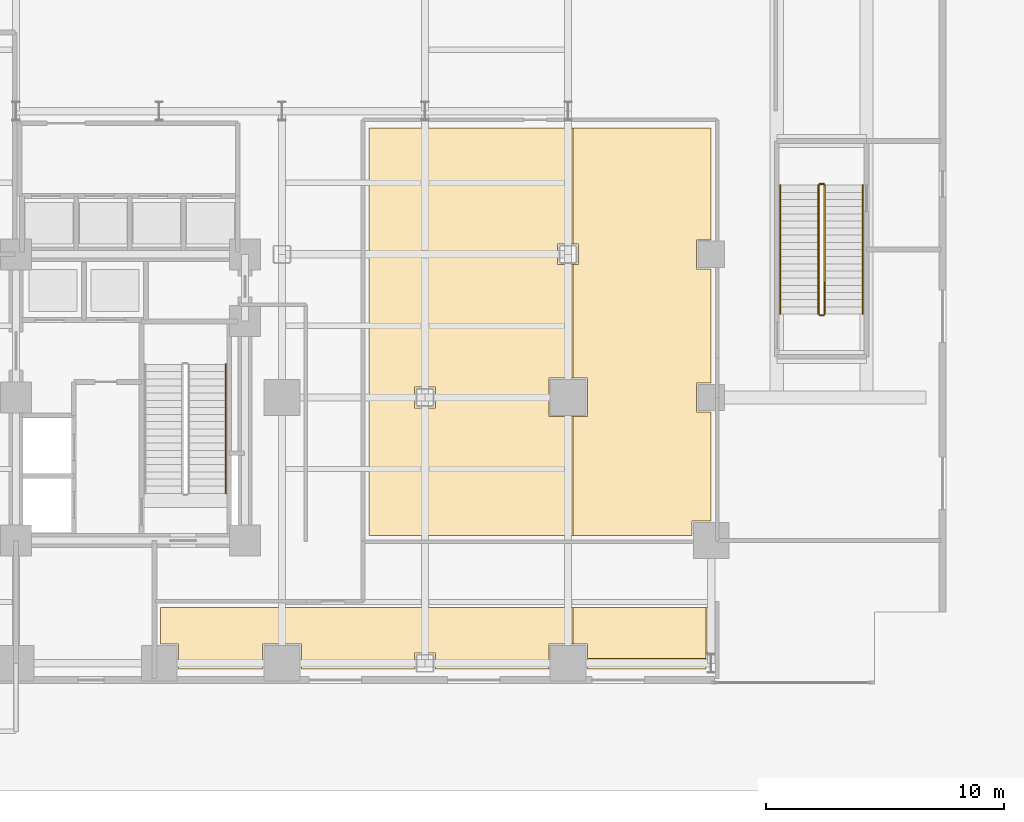
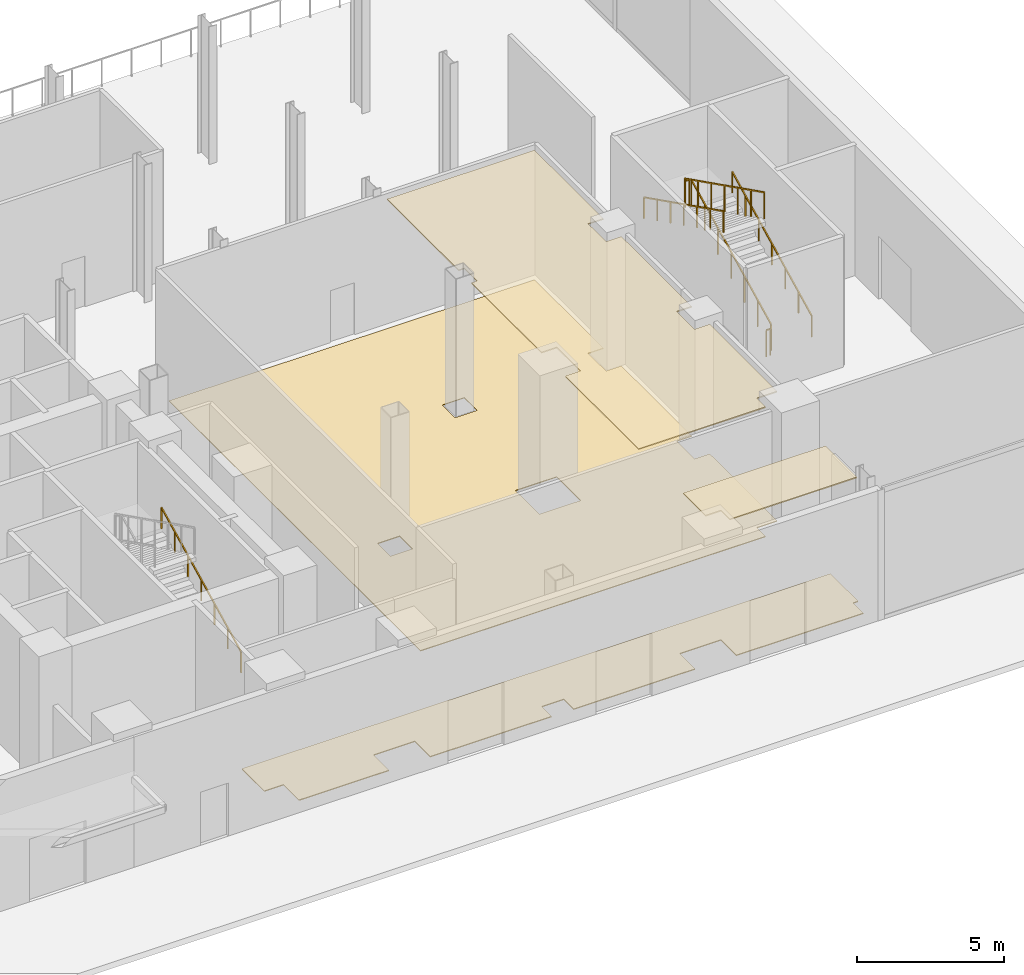
# One storey, part 24 of 27: 7 railings, 4 coverings.
"""IFC4 building model written with IfcOpenShell, lengths in metres."""

import ifcopenshell
import ifcopenshell.guid

model = None  # the IFC model being written
_history = None  # IfcOwnerHistory: only IFC2X3 demands one
_inside = {}  # id of a spatial element -> (the spatial element, [elements in it])
_under = {}  # id of a project, library or spatial element -> (it, [spatial elements below it])
_declared = {}  # id of a project -> (the project, [libraries it declares])
_typed = {}  # id of a type object -> (the type object, [elements of that type])
_made_of = {}  # id of a material, layer set ... -> (it, [elements and type objects made of it])


def new_model(schema):
    """Start an empty IFC model of exactly this schema.

    Asked for "IFC4X3", IfcOpenShell would pick the latest addendum, in which some entities
    have other attributes; the version numbers below select the first issue.
    IFC2X3 requires an IfcOwnerHistory on every rooted entity: one is made here for all.
    """
    global model, _history
    if schema == "IFC4X3":
        model = ifcopenshell.file(schema_version=(4, 3, 0, 0))
    else:
        model = ifcopenshell.file(schema=schema)
    _inside.clear()
    _under.clear()
    _declared.clear()
    _typed.clear()
    _made_of.clear()
    _history = None
    if model.schema == "IFC2X3":
        org = make("IfcOrganization", Name="unknown")
        user = make(
            "IfcPersonAndOrganization",
            ThePerson=make("IfcPerson", FamilyName="unknown"),
            TheOrganization=org,
        )
        app = make(
            "IfcApplication",
            ApplicationDeveloper=org,
            Version="unknown",
            ApplicationFullName="unknown",
            ApplicationIdentifier="unknown",
        )
        _history = make(
            "IfcOwnerHistory",
            OwningUser=user,
            OwningApplication=app,
            ChangeAction="ADDED",
            CreationDate=0,
        )
    return model


def make(cls, **values):
    """One entity of the class cls with the attributes given. An attribute that is None is left unset."""
    return model.create_entity(
        cls, **{name: value for name, value in values.items() if value is not None}
    )


def rooted(cls, **values):
    """An entity with a GlobalId (a new one), such as an element, a storey or a relation."""
    return make(cls, GlobalId=ifcopenshell.guid.new(), OwnerHistory=_history, **values)


def si_unit(unit_type, name, prefix=None):
    """IfcSIUnit, for example si_unit("LENGTHUNIT", "METRE", prefix="MILLI")."""
    return make("IfcSIUnit", UnitType=unit_type, Prefix=prefix, Name=name)


def assignment(units):
    """IfcUnitAssignment: the units of a project."""
    return None if units is None else make("IfcUnitAssignment", Units=units)


def point(xyz):
    """IfcCartesianPoint."""
    return None if xyz is None else make("IfcCartesianPoint", Coordinates=xyz)


def direction(xyz):
    """IfcDirection."""
    return None if xyz is None else make("IfcDirection", DirectionRatios=xyz)


def frame(location, z_axis=None, x_axis=None):
    """IfcAxis2Placement3D, a coordinate frame: its origin and axes. An axis left out is left unset."""
    return make(
        "IfcAxis2Placement3D",
        Location=point(location),
        Axis=direction(z_axis),
        RefDirection=direction(x_axis),
    )


def frame_2d(location, x_axis=None):
    """IfcAxis2Placement2D, a coordinate frame in the plane: its origin and x axis."""
    return make(
        "IfcAxis2Placement2D", Location=point(location), RefDirection=direction(x_axis)
    )


def origin():
    """The frame at (0, 0, 0) with its axes left unset."""
    return frame((0.0, 0.0, 0.0))


def origin_2d():
    """The frame at (0, 0) in the plane with its x axis left unset."""
    return frame_2d((0.0, 0.0))


def place(relative_to, where):
    """IfcLocalPlacement: puts the frame where relative to a parent placement (None: the world)."""
    return make(
        "IfcLocalPlacement", PlacementRelTo=relative_to, RelativePlacement=where
    )


def context(
    kind, dimensions, precision=None, world=None, true_north=None, identifier=None
):
    """IfcGeometricRepresentationContext, for example the 3D "Model" context."""
    return make(
        "IfcGeometricRepresentationContext",
        ContextIdentifier=identifier,
        ContextType=kind,
        CoordinateSpaceDimension=dimensions,
        Precision=precision,
        WorldCoordinateSystem=world,
        TrueNorth=true_north,
    )


def subcontext(parent, identifier, kind, view, scale=None):
    """IfcGeometricRepresentationSubContext, for example "Body" below "Model"."""
    return make(
        "IfcGeometricRepresentationSubContext",
        ContextIdentifier=identifier,
        ContextType=kind,
        ParentContext=parent,
        TargetScale=scale,
        TargetView=view,
    )


def project(units=None, contexts=None):
    """IfcProject with its units and contexts."""
    return rooted(
        "IfcProject",
        Name="project",
        RepresentationContexts=contexts,
        UnitsInContext=assignment(units),
    )


def spatial(cls, under=None, at=None, **own):
    """A site, building, storey or space (cls), placed at a placement, below another one or the project."""
    s = rooted(cls, ObjectPlacement=at, **own)
    if under is not None:
        _under.setdefault(under.id(), (under, []))[1].append(s)
    return s


def polyline(points):
    """IfcPolyline through the points."""
    return make("IfcPolyline", Points=[point(p) for p in points])


def profile(cls, at=None, kind="AREA", **sizes):
    """A parametric profile (cls). Its sizes go by their IFC names, for example OverallWidth=200.0."""
    return make(cls, ProfileType=kind, Position=at, **sizes)


def rectangle(**sizes):
    """IfcRectangleProfileDef."""
    return profile("IfcRectangleProfileDef", **sizes)


def outline(outer, holes=None, kind="AREA"):
    """IfcArbitraryClosedProfileDef: a profile drawn as a closed curve; with holes, ...WithVoids."""
    if holes is None:
        return make("IfcArbitraryClosedProfileDef", ProfileType=kind, OuterCurve=outer)
    return make(
        "IfcArbitraryProfileDefWithVoids",
        ProfileType=kind,
        OuterCurve=outer,
        InnerCurves=holes,
    )


def extrude(swept, where, along, depth):
    """IfcExtrudedAreaSolid: the profile swept, set in the frame where, extruded along a direction by depth."""
    return make(
        "IfcExtrudedAreaSolid",
        SweptArea=swept,
        Position=where,
        ExtrudedDirection=direction(along),
        Depth=depth,
    )


def shape(context_of_items, identifier, shape_type, items):
    """IfcShapeRepresentation: the items that make up one representation, for example the "Body"."""
    return make(
        "IfcShapeRepresentation",
        ContextOfItems=context_of_items,
        RepresentationIdentifier=identifier,
        RepresentationType=shape_type,
        Items=items,
    )


def material(Name=None, Category=None):
    """IfcMaterial."""
    return make("IfcMaterial", Name=Name, Category=Category)


def layer(
    of_material, thickness, ventilated=None, Name=None, Category=None, Priority=None
):
    """IfcMaterialLayer: one layer of a wall or slab, of a material (None: an air gap)."""
    return make(
        "IfcMaterialLayer",
        Material=of_material,
        LayerThickness=thickness,
        IsVentilated=ventilated,
        Name=Name,
        Category=Category,
        Priority=Priority,
    )


def layer_set(layers, Name=None):
    """IfcMaterialLayerSet."""
    return make("IfcMaterialLayerSet", MaterialLayers=layers, LayerSetName=Name)


def made_of(thing, what):
    """Note that an element or type object is made of a material, layer set ...; save() writes the relation."""
    if what is not None:
        _made_of.setdefault(what.id(), (what, []))[1].append(thing)
    return thing


def type_object(cls, material=None, **own):
    """A type object (cls), such as IfcWallType, which elements share."""
    return made_of(rooted(cls, **own), material)


def element(
    cls,
    number,
    at=None,
    inside=None,
    cuts=None,
    type_object=None,
    material=None,
    context=None,
    identifier="Body",
    shape_type=None,
    held_by="IfcProductDefinitionShape",
    body=None,
    shapes=None,
    **own,
):
    """One element of the class cls, such as IfcWall. Its Tag is "e" and its number.

    at: its placement. inside: the storey or other place that contains it. cuts: it is an
    opening in that element (IfcRelVoidsElement). A single representation is given by context,
    identifier, shape_type and body (its items); several are given by shapes. held_by: the class
    of the entity that holds the representations. save() writes the other relations.
    """
    e = rooted(cls, Tag="e%d" % number, ObjectPlacement=at, **own)
    if body is not None:
        shapes = [shape(context, identifier, shape_type, body)]
    if shapes is not None:
        e.Representation = make(held_by, Representations=shapes)
    if inside is not None:
        _inside.setdefault(inside.id(), (inside, []))[1].append(e)
    if cuts is not None:
        rooted(
            "IfcRelVoidsElement", RelatingBuildingElement=cuts, RelatedOpeningElement=e
        )
    if type_object is not None:
        _typed.setdefault(type_object.id(), (type_object, []))[1].append(e)
    return made_of(e, material)


def aggregate(whole, parts):
    """IfcRelAggregates: a whole, such as a stair, and the parts it consists of."""
    return rooted("IfcRelAggregates", RelatingObject=whole, RelatedObjects=parts)


def save(model, path):
    """Write the relations noted so far, then the file.

    IfcRelAggregates (storeys below a building ...), IfcRelContainedInSpatialStructure (elements
    in a storey), IfcRelDefinesByType, IfcRelAssociatesMaterial and IfcRelDeclares: one each for
    every whole, place, type object, material and project.
    """
    for whole, parts in _under.values():
        aggregate(whole, parts)
    for where, things in _inside.values():
        rooted(
            "IfcRelContainedInSpatialStructure",
            RelatedElements=things,
            RelatingStructure=where,
        )
    for kind, things in _typed.values():
        rooted("IfcRelDefinesByType", RelatedObjects=things, RelatingType=kind)
    for what, things in _made_of.values():
        rooted("IfcRelAssociatesMaterial", RelatedObjects=things, RelatingMaterial=what)
    for by, libraries in _declared.values():
        rooted("IfcRelDeclares", RelatingContext=by, RelatedDefinitions=libraries)
    model.write(path)


model = new_model("IFC4")

# Units and contexts
model_context = context("Model", 3, precision=1e-05, world=origin(), true_north=direction((0.0, 1.0)))
body_context = subcontext(model_context, "Body", "Model", "MODEL_VIEW")
ifc_project = project(units=[si_unit("LENGTHUNIT", "METRE"), si_unit("AREAUNIT", "SQUARE_METRE"), si_unit("VOLUMEUNIT", "CUBIC_METRE"), si_unit("PLANEANGLEUNIT", "RADIAN"), si_unit("MASSUNIT", "GRAM", prefix="KILO"), si_unit("THERMODYNAMICTEMPERATUREUNIT", "KELVIN"), si_unit("POWERUNIT", "WATT")], contexts=[model_context])

# Site, building, storey
site_placement = place(None, origin())
site = spatial("IfcSite", under=ifc_project, at=site_placement, CompositionType="ELEMENT")
building_placement = place(site_placement, origin())
building = spatial("IfcBuilding", under=site, at=building_placement, Name="Svarakhadi Broadcast Tower", CompositionType="ELEMENT")
storey_placement = place(building_placement, origin())
storey = spatial("IfcBuildingStorey", under=building, at=storey_placement, Name="L00", CompositionType="ELEMENT", Elevation=0.0)

# Coverings
ifc_material_1 = material(Name="Anodised Bronze Aluminium Linear Acoustic Baffle", Category="aluminium")
ifc_layer_1 = layer(ifc_material_1, 0.044921875)
ifc_layer_set_1 = layer_set([ifc_layer_1], Name="Anodised Bronze Aluminium Linear Acoustic Baffle")
covering_type_1 = type_object("IfcCoveringType", Name="Cov_Ceiling_Baffle", PredefinedType="CEILING", material=ifc_layer_set_1)
covering_1_placement = place(storey_placement, frame((0.0, 0.0, 5.35498046875)))
element("IfcCovering", 1, at=covering_1_placement, inside=storey, type_object=covering_type_1, Name="L00 Waterfront Media Cafe and Dining Hall Acoustic Ceiling", PredefinedType="CEILING", context=body_context, shape_type="SweptSolid", body=[
    extrude(outline(polyline([(52.93994140625, 3.18994140625), (52.93994140625, 1.31005859375), (52.93994140625, 1.06005859375), (47.9599609375, 1.06005859375), (47.9599609375, 1.659912109375), (47.360107421875, 1.659912109375), (47.360107421875, 3.18994140625), (52.93994140625, 3.18994140625)])), origin(), (0.0, 0.0, 1.0), 0.044921875),
])
covering_2_placement = place(storey_placement, frame((0.0, 0.0, 5.35498046875)))
element("IfcCovering", 2, at=covering_2_placement, inside=storey, type_object=covering_type_1, Name="L00 Public Broadcast Heritage Exhibition Gallery Acoustic Ceiling", PredefinedType="CEILING", context=body_context, shape_type="SweptSolid", body=[
    extrude(outline(polyline([(53.139892578125, 23.2900390625), (53.139892578125, 18.610107421875), (52.5400390625, 18.610107421875), (52.5400390625, 17.389892578125), (53.139892578125, 17.389892578125), (53.139892578125, 12.610107421875), (52.5400390625, 12.610107421875), (52.5400390625, 11.389892578125), (53.139892578125, 11.389892578125), (53.139892578125, 6.81005859375), (52.340087890625, 6.81005859375), (52.340087890625, 6.2099609375), (47.360107421875, 6.2099609375), (47.360107421875, 11.18994140625), (47.9599609375, 11.18994140625), (47.9599609375, 12.81005859375), (47.360107421875, 12.81005859375), (47.360107421875, 17.56494140625), (47.5849609375, 17.56494140625), (47.5849609375, 18.43505859375), (47.360107421875, 18.43505859375), (47.360107421875, 23.2900390625), (53.139892578125, 23.2900390625)])), origin(), (0.0, 0.0, 1.0), 0.044921875),
])
ifc_material_2 = material(Name="Honed Konkan Basalt Stone Tile Flooring", Category="masonry")
ifc_layer_2 = layer(ifc_material_2, 0.034912109375)
ifc_layer_set_2 = layer_set([ifc_layer_2], Name="Honed Konkan Basalt Stone Tile Flooring")
covering_type_2 = type_object("IfcCoveringType", Name="Cov_Floor_Basalt", PredefinedType="FLOORING", material=ifc_layer_set_2)
covering_3_placement = place(storey_placement, origin())
element("IfcCovering", 3, at=covering_3_placement, inside=storey, type_object=covering_type_2, Name="L00 Waterfront Media Cafe and Dining Hall Floor Finish", PredefinedType="FLOORING", context=body_context, shape_type="SweptSolid", body=[
    extrude(outline(polyline([(53.139892578125, 3.18994140625), (53.139892578125, 1.31005859375), (52.93994140625, 1.31005859375), (52.93994140625, 0.610107421875), (47.9599609375, 0.610107421875), (47.9599609375, 1.659912109375), (46.340087890625, 1.659912109375), (46.340087890625, 0.610107421875), (41.5849609375, 0.610107421875), (41.5849609375, 1.284912109375), (40.715087890625, 1.284912109375), (40.715087890625, 0.610107421875), (35.9599609375, 0.610107421875), (35.9599609375, 1.659912109375), (34.340087890625, 1.659912109375), (34.340087890625, 0.610107421875), (30.81005859375, 0.610107421875), (30.81005859375, 1.659912109375), (30.06005859375, 1.659912109375), (30.06005859375, 3.18994140625), (53.139892578125, 3.18994140625)])), origin(), (0.0, 0.0, 1.0), 0.034912109375),
])
ifc_material_3 = material(Name="Polished White Marble-Chip Terrazzo Flooring", Category="masonry")
ifc_layer_3 = layer(ifc_material_3, 0.030029296875)
ifc_layer_set_3 = layer_set([ifc_layer_3], Name="Polished White Marble-Chip Terrazzo Flooring")
covering_type_3 = type_object("IfcCoveringType", Name="Cov_Floor_Terrazzo", PredefinedType="FLOORING", material=ifc_layer_set_3)
covering_4_placement = place(storey_placement, origin())
element("IfcCovering", 4, at=covering_4_placement, inside=storey, type_object=covering_type_3, Name="L00 Public Broadcast Heritage Exhibition Gallery Floor Finish", PredefinedType="FLOORING", context=body_context, shape_type="SweptSolid", body=[
    extrude(outline(polyline([(53.139892578125, 23.2900390625), (53.139892578125, 18.610107421875), (52.5400390625, 18.610107421875), (52.5400390625, 17.389892578125), (53.139892578125, 17.389892578125), (53.139892578125, 12.610107421875), (52.5400390625, 12.610107421875), (52.5400390625, 11.389892578125), (53.139892578125, 11.389892578125), (53.139892578125, 6.81005859375), (52.340087890625, 6.81005859375), (52.340087890625, 6.2099609375), (38.81005859375, 6.2099609375), (38.81005859375, 23.2900390625), (53.139892578125, 23.2900390625)]), holes=[polyline([(40.715087890625, 11.56494140625), (41.5849609375, 11.56494140625), (41.5849609375, 12.43505859375), (40.715087890625, 12.43505859375), (40.715087890625, 11.56494140625)]), polyline([(46.340087890625, 11.18994140625), (47.9599609375, 11.18994140625), (47.9599609375, 12.81005859375), (46.340087890625, 12.81005859375), (46.340087890625, 11.18994140625)]), polyline([(46.715087890625, 17.56494140625), (47.5849609375, 17.56494140625), (47.5849609375, 18.43505859375), (46.715087890625, 18.43505859375), (46.715087890625, 17.56494140625)])]), origin(), (0.0, 0.0, 1.0), 0.030029296875),
])

# Railings
ifc_material_4 = material(Name="Anodised Bronze Aluminium AA 6063-T6", Category="aluminium")
railing_type_1 = type_object("IfcRailingType", Name="Guard_Stair_GR01", PredefinedType="GUARDRAIL", material=ifc_material_4)
railing_1_placement = place(storey_placement, frame((57.909912109375, 15.5, 0.14990234375)))
element("IfcRailing", 5, at=railing_1_placement, inside=storey, type_object=railing_type_1, Name="L00 ST-04 stair guard 1", PredefinedType="GUARDRAIL", context=body_context, shape_type="SweptSolid", body=[
    extrude(rectangle(XDim=0.048095703125, YDim=0.048095703125, at=origin_2d()), frame((0.0, 0.0, 1.09619140625), z_axis=(0.0, 0.894411015155, 0.447245945728), x_axis=(-1.0, 0.0, 0.0)), (0.0, 0.0, 1.0), 6.037353515625),
    extrude(rectangle(XDim=0.0419921875, YDim=0.0419921875, at=origin_2d()), origin(), (0.0, 0.0, 1.0), 1.072021484375),
    extrude(rectangle(XDim=0.0419921875, YDim=0.0419921875, at=origin_2d()), frame((0.0, 0.89990234375, 0.449951171875)), (0.0, 0.0, 1.0), 1.072021484375),
    extrude(rectangle(XDim=0.0419921875, YDim=0.0419921875, at=origin_2d()), frame((0.0, 1.800048828125, 0.900146484375)), (0.0, 0.0, 1.0), 1.072021484375),
    extrude(rectangle(XDim=0.0419921875, YDim=0.0419921875, at=origin_2d()), frame((0.0, 2.699951171875, 1.35009765625)), (0.0, 0.0, 1.0), 1.072021484375),
    extrude(rectangle(XDim=0.0419921875, YDim=0.0419921875, at=origin_2d()), frame((0.0, 3.599853515625, 1.800048828125)), (0.0, 0.0, 1.0), 1.072021484375),
    extrude(rectangle(XDim=0.0419921875, YDim=0.0419921875, at=origin_2d()), frame((0.0, 4.5, 2.250244140625)), (0.0, 0.0, 1.0), 1.072021484375),
    extrude(rectangle(XDim=0.0419921875, YDim=0.0419921875, at=origin_2d()), frame((0.0, 5.39990234375, 2.7001953125)), (0.0, 0.0, 1.0), 1.072021484375),
])
railing_2_placement = place(storey_placement, frame((57.860107421875, 20.949951171875, 2.85009765625)))
element("IfcRailing", 6, at=railing_2_placement, inside=storey, type_object=railing_type_1, Name="L00 ST-04 stair guard 2", PredefinedType="GUARDRAIL", context=body_context, shape_type="SweptSolid", body=[
    extrude(rectangle(XDim=0.048095703125, YDim=0.048095703125, at=origin_2d()), frame((0.0, 0.0, 1.09619140625), z_axis=(-1.0, 0.0, 0.0), x_axis=(0.0, -1.0, 0.0)), (0.0, 0.0, 1.0), 0.16015625),
    extrude(rectangle(XDim=0.0419921875, YDim=0.0419921875, at=origin_2d()), origin(), (0.0, 0.0, 1.0), 1.072021484375),
    extrude(rectangle(XDim=0.0419921875, YDim=0.0419921875, at=origin_2d()), frame((-0.16015625, 0.0, 0.0)), (0.0, 0.0, 1.0), 1.072021484375),
])
railing_3_placement = place(storey_placement, frame((57.64990234375, 20.89990234375, 3.0)))
element("IfcRailing", 7, at=railing_3_placement, inside=storey, type_object=railing_type_1, Name="L00 ST-04 stair guard 3", PredefinedType="GUARDRAIL", context=body_context, shape_type="SweptSolid", body=[
    extrude(rectangle(XDim=0.048095703125, YDim=0.048095703125, at=origin_2d()), frame((0.0, 0.0, 1.09619140625), z_axis=(0.0, -0.894427191, 0.4472135955), x_axis=(1.0, 0.0, 0.0)), (0.0, 0.0, 1.0), 6.037353515625),
    extrude(rectangle(XDim=0.0419921875, YDim=0.0419921875, at=origin_2d()), origin(), (0.0, 0.0, 1.0), 1.072021484375),
    extrude(rectangle(XDim=0.0419921875, YDim=0.0419921875, at=origin_2d()), frame((0.0, -0.89990234375, 0.449951171875)), (0.0, 0.0, 1.0), 1.072021484375),
    extrude(rectangle(XDim=0.0419921875, YDim=0.0419921875, at=origin_2d()), frame((0.0, -1.800048828125, 0.89990234375)), (0.0, 0.0, 1.0), 1.072021484375),
    extrude(rectangle(XDim=0.0419921875, YDim=0.0419921875, at=origin_2d()), frame((0.0, -2.699951171875, 1.35009765625)), (0.0, 0.0, 1.0), 1.072021484375),
    extrude(rectangle(XDim=0.0419921875, YDim=0.0419921875, at=origin_2d()), frame((0.0, -3.599853515625, 1.800048828125)), (0.0, 0.0, 1.0), 1.072021484375),
    extrude(rectangle(XDim=0.0419921875, YDim=0.0419921875, at=origin_2d()), frame((0.0, -4.5, 2.25)), (0.0, 0.0, 1.0), 1.072021484375),
    extrude(rectangle(XDim=0.0419921875, YDim=0.0419921875, at=origin_2d()), frame((0.0, -5.39990234375, 2.699951171875)), (0.0, 0.0, 1.0), 1.072021484375),
])
railing_4_placement = place(storey_placement, frame((57.860107421875, 15.449951171875, 0.0)))
element("IfcRailing", 8, at=railing_4_placement, inside=storey, type_object=railing_type_1, Name="L00 ST-04 stair guard 4", PredefinedType="GUARDRAIL", context=body_context, shape_type="SweptSolid", body=[
    extrude(rectangle(XDim=0.048095703125, YDim=0.048095703125, at=origin_2d()), frame((0.0, 0.0, 1.09619140625), z_axis=(-1.0, 0.0, 0.0), x_axis=(0.0, -1.0, 0.0)), (0.0, 0.0, 1.0), 0.16015625),
    extrude(rectangle(XDim=0.0419921875, YDim=0.0419921875, at=origin_2d()), origin(), (0.0, 0.0, 1.0), 1.072021484375),
    extrude(rectangle(XDim=0.0419921875, YDim=0.0419921875, at=origin_2d()), frame((-0.16015625, 0.0, 0.0)), (0.0, 0.0, 1.0), 1.072021484375),
])
railing_type_2 = type_object("IfcRailingType", Name="Handrail_Stair_HR01", PredefinedType="HANDRAIL", material=ifc_material_4)
for number, where, name in (
    (9, (32.7900390625, 7.97998046875, 0.14990234375), "L00 ST-02 stair handrail 1"),
    (10, (59.510009765625, 15.5, 0.14990234375), "L00 ST-04 stair handrail 1"),
):
    element("IfcRailing", number, at=place(storey_placement, frame(where)), inside=storey, type_object=railing_type_2, Name=name, PredefinedType="HANDRAIL", context=body_context, shape_type="SweptSolid", body=[
        extrude(rectangle(XDim=0.048095703125, YDim=0.048095703125, at=origin_2d()), frame((0.0, 0.0, 0.8759765625), z_axis=(0.0, 0.894411015155, 0.447245945728), x_axis=(-1.0, 0.0, 0.0)), (0.0, 0.0, 1.0), 6.037353515625),
        extrude(rectangle(XDim=0.0419921875, YDim=0.0419921875, at=origin_2d()), origin(), (0.0, 0.0, 1.0), 0.851806640625),
        extrude(rectangle(XDim=0.0419921875, YDim=0.0419921875, at=origin_2d()), frame((0.0, 0.89990234375, 0.449951171875)), (0.0, 0.0, 1.0), 0.851806640625),
        extrude(rectangle(XDim=0.0419921875, YDim=0.0419921875, at=origin_2d()), frame((0.0, 1.800048828125, 0.900146484375)), (0.0, 0.0, 1.0), 0.851806640625),
        extrude(rectangle(XDim=0.0419921875, YDim=0.0419921875, at=origin_2d()), frame((0.0, 2.699951171875, 1.35009765625)), (0.0, 0.0, 1.0), 0.851806640625),
        extrude(rectangle(XDim=0.0419921875, YDim=0.0419921875, at=origin_2d()), frame((0.0, 3.599853515625, 1.800048828125)), (0.0, 0.0, 1.0), 0.851806640625),
        extrude(rectangle(XDim=0.0419921875, YDim=0.0419921875, at=origin_2d()), frame((0.0, 4.5, 2.250244140625)), (0.0, 0.0, 1.0), 0.851806640625),
        extrude(rectangle(XDim=0.0419921875, YDim=0.0419921875, at=origin_2d()), frame((0.0, 5.39990234375, 2.7001953125)), (0.0, 0.0, 1.0), 0.851806640625),
    ])
railing_5_placement = place(storey_placement, frame((56.050048828125, 20.89990234375, 3.0)))
element("IfcRailing", 11, at=railing_5_placement, inside=storey, type_object=railing_type_2, Name="L00 ST-04 stair handrail 2", PredefinedType="HANDRAIL", context=body_context, shape_type="SweptSolid", body=[
    extrude(rectangle(XDim=0.048095703125, YDim=0.048095703125, at=origin_2d()), frame((0.0, 0.0, 0.8759765625), z_axis=(0.0, -0.894427191, 0.4472135955), x_axis=(1.0, 0.0, 0.0)), (0.0, 0.0, 1.0), 6.037353515625),
    extrude(rectangle(XDim=0.0419921875, YDim=0.0419921875, at=origin_2d()), origin(), (0.0, 0.0, 1.0), 0.851806640625),
    extrude(rectangle(XDim=0.0419921875, YDim=0.0419921875, at=origin_2d()), frame((0.0, -0.89990234375, 0.449951171875)), (0.0, 0.0, 1.0), 0.851806640625),
    extrude(rectangle(XDim=0.0419921875, YDim=0.0419921875, at=origin_2d()), frame((0.0, -1.800048828125, 0.89990234375)), (0.0, 0.0, 1.0), 0.851806640625),
    extrude(rectangle(XDim=0.0419921875, YDim=0.0419921875, at=origin_2d()), frame((0.0, -2.699951171875, 1.35009765625)), (0.0, 0.0, 1.0), 0.851806640625),
    extrude(rectangle(XDim=0.0419921875, YDim=0.0419921875, at=origin_2d()), frame((0.0, -3.599853515625, 1.800048828125)), (0.0, 0.0, 1.0), 0.851806640625),
    extrude(rectangle(XDim=0.0419921875, YDim=0.0419921875, at=origin_2d()), frame((0.0, -4.5, 2.25)), (0.0, 0.0, 1.0), 0.851806640625),
    extrude(rectangle(XDim=0.0419921875, YDim=0.0419921875, at=origin_2d()), frame((0.0, -5.39990234375, 2.699951171875)), (0.0, 0.0, 1.0), 0.851806640625),
])

save(model, "model.ifc")
